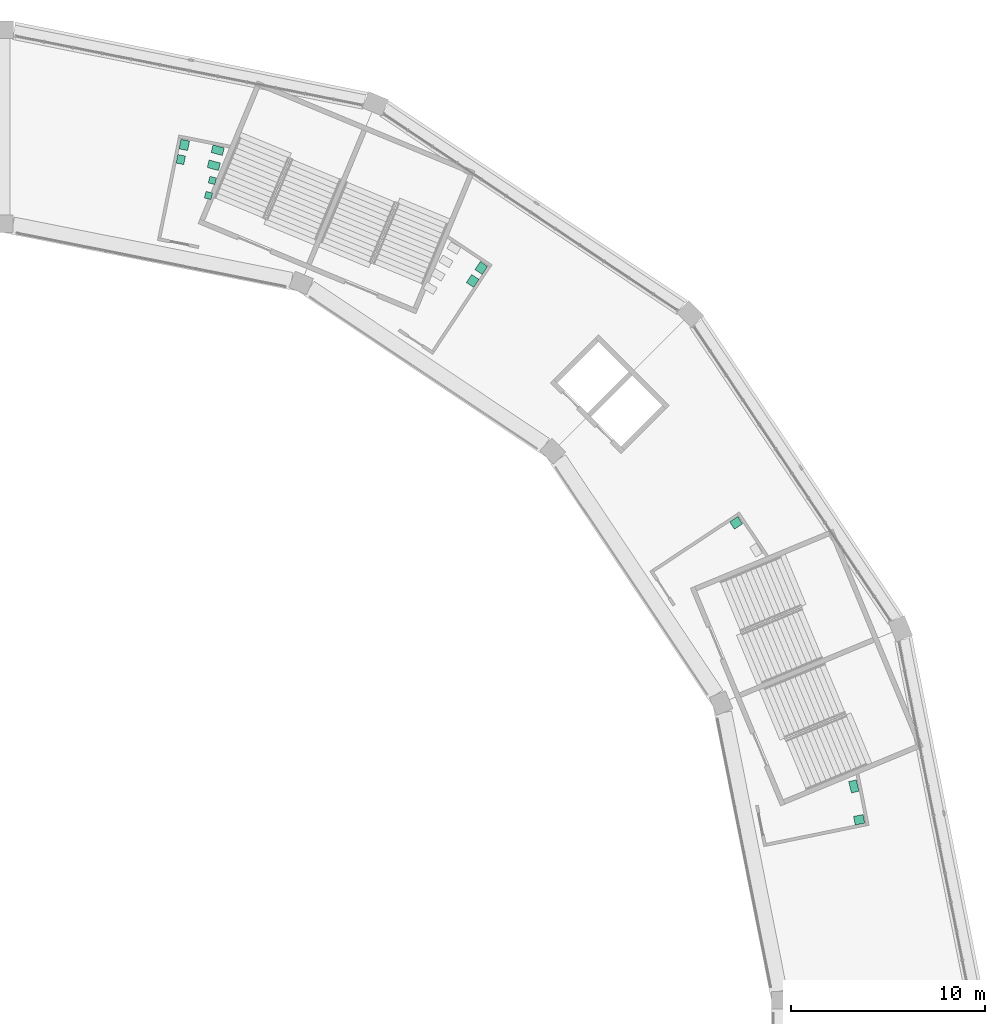
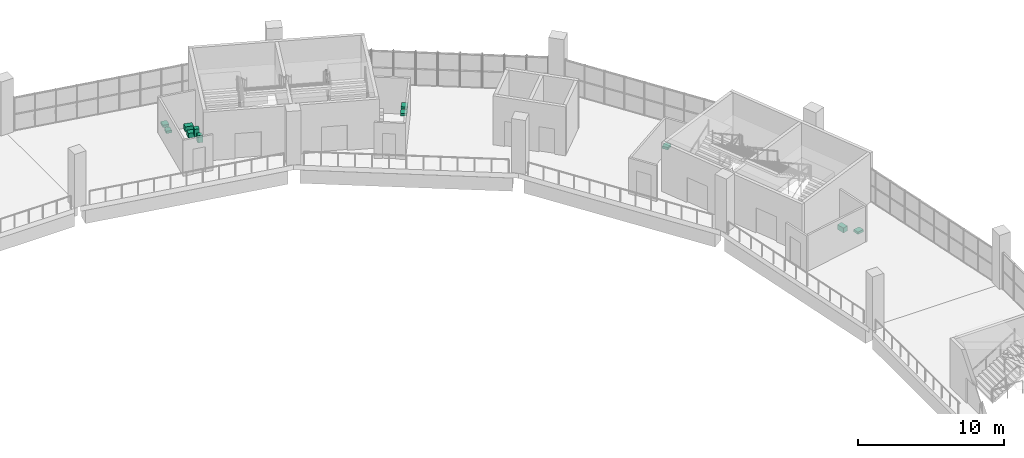
# One storey, part 177 of 177: 11 sanitary terminals.
"""IFC4 building model written with IfcOpenShell, lengths in metres."""

from ifc_helpers import new_model, si_unit, direction, frame, origin, origin_2d, place, context, subcontext, project, spatial, rectangle, extrude, material, type_object, element, save


model = new_model("IFC4")

# Units and contexts
model_context = context("Model", 3, precision=1e-05, world=origin(), true_north=direction((0.0, 1.0)))
body_context = subcontext(model_context, "Body", "Model", "MODEL_VIEW")
ifc_project = project(units=[si_unit("LENGTHUNIT", "METRE"), si_unit("AREAUNIT", "SQUARE_METRE"), si_unit("VOLUMEUNIT", "CUBIC_METRE"), si_unit("PLANEANGLEUNIT", "RADIAN"), si_unit("MASSUNIT", "GRAM", prefix="KILO")], contexts=[model_context])

# Site, building, storey
site_placement = place(None, origin())
site = spatial("IfcSite", under=ifc_project, at=site_placement, CompositionType="ELEMENT")
building_placement = place(site_placement, origin())
building = spatial("IfcBuilding", under=site, at=building_placement, Name="Ogive Plaza Stadium", CompositionType="ELEMENT")
storey_placement = place(building_placement, frame((0.0, 0.0, 18.0)))
storey = spatial("IfcBuildingStorey", under=building, at=storey_placement, Name="L04", CompositionType="ELEMENT", Elevation=18.0)

# Sanitary terminals
ifc_material_1 = material(Name="Vitreous china", Category="ceramic")
sanitary_terminal_type_1 = type_object("IfcSanitaryTerminalType", Name="Drinking fountain", PredefinedType="SANITARYFOUNTAIN", material=ifc_material_1)
sanitary_terminal_placement = place(storey_placement, frame((43.109619140625, 95.815673828125, 0.7998046875), z_axis=(0.0, 0.0, 1.0), x_axis=(-0.201383944288, -0.979512382251, 0.0)))
element("IfcSanitaryTerminal", 1, at=sanitary_terminal_placement, inside=storey, type_object=sanitary_terminal_type_1, Name="Drinking fountain L04-013", PredefinedType="SANITARYFOUNTAIN", context=body_context, shape_type="SweptSolid", body=[
    extrude(rectangle(XDim=0.449951171875, YDim=0.39990234375, at=origin_2d()), origin(), (0.0, 0.0, 1.0), 0.199951171875),
])
ifc_material_2 = material(Name="Vitreous china", Category="ceramic")
sanitary_terminal_type_2 = type_object("IfcSanitaryTerminalType", Name="Lavatory", PredefinedType="WASHHANDBASIN", material=ifc_material_2)
for number, where, z_axis, x_axis, name in (
    (2, (43.290283203125, 96.569580078125, 0.7998046875), (0.0, 0.0, 1.0), (-0.201383944288, -0.979512382251, 0.0), "Lavatory L04-013"),
    (3, (58.5927734375, 90.231201171875, 0.7998046875), (0.0, 0.0, 1.0), (-0.550219895118, -0.835019800374, 0.0), "Lavatory L04-014"),
    (4, (58.152587890625, 89.563232421875, 0.7998046875), (0.0, 0.0, 1.0), (-0.550219895118, -0.835019800374, 0.0), "Lavatory L04-014"),
    (5, (71.731201171875, 77.0927734375, 0.7998046875), (0.0, 0.0, 1.0), (-0.835019800374, -0.550219895118, 0.0), "Lavatory L04-015"),
    (6, (78.069580078125, 61.790283203125, 0.7998046875), (0.0, 0.0, 1.0), (-0.979512382251, -0.201383944288, 0.0), "Lavatory L04-016"),
):
    element("IfcSanitaryTerminal", number, at=place(storey_placement, frame(where, z_axis=z_axis, x_axis=x_axis)), inside=storey, type_object=sanitary_terminal_type_2, Name=name, PredefinedType="WASHHANDBASIN", context=body_context, shape_type="SweptSolid", body=[
        extrude(rectangle(XDim=0.5, YDim=0.449951171875, at=origin_2d()), origin(), (0.0, 0.0, 1.0), 0.199951171875),
    ])
ifc_material_3 = material(Name="Vitreous china", Category="ceramic")
sanitary_terminal_type_3 = type_object("IfcSanitaryTerminalType", Name="Urinal", PredefinedType="URINAL", material=ifc_material_3)
for number, where, z_axis, x_axis, name in (
    (7, (44.739013671875, 94.7412109375, 0.599853515625), (0.0, 0.0, 1.0), (-0.250283687841, -0.968172544333, 0.0), "Urinal L04-013"),
    (8, (44.538818359375, 93.966552734375, 0.599853515625), (0.0, 0.0, 1.0), (-0.250283687841, -0.968172544333, 0.0), "Urinal L04-013"),
):
    element("IfcSanitaryTerminal", number, at=place(storey_placement, frame(where, z_axis=z_axis, x_axis=x_axis)), inside=storey, type_object=sanitary_terminal_type_3, Name=name, PredefinedType="URINAL", context=body_context, shape_type="SweptSolid", body=[
        extrude(rectangle(XDim=0.35009765625, YDim=0.35009765625, at=origin_2d()), origin(), (0.0, 0.0, 1.0), 0.60009765625),
    ])
ifc_material_4 = material(Name="Vitreous china", Category="ceramic")
sanitary_terminal_type_4 = type_object("IfcSanitaryTerminalType", Name="Water closet", PredefinedType="TOILETPAN", material=ifc_material_4)
for number, where, z_axis, x_axis, name in (
    (9, (45.01220703125, 96.29736328125, 0.0), (0.0, 0.0, 1.0), (-0.250283687841, -0.968172544333, 0.0), "Water closet L04-013"),
    (10, (44.81201171875, 95.522705078125, 0.0), (0.0, 0.0, 1.0), (-0.250283687841, -0.968172544333, 0.0), "Water closet L04-013"),
    (11, (77.79736328125, 63.51220703125, 0.0), (0.0, 0.0, 1.0), (-0.968172544333, -0.250283687841, 0.0), "Water closet L04-016"),
):
    element("IfcSanitaryTerminal", number, at=place(storey_placement, frame(where, z_axis=z_axis, x_axis=x_axis)), inside=storey, type_object=sanitary_terminal_type_4, Name=name, PredefinedType="TOILETPAN", context=body_context, shape_type="SweptSolid", body=[
        extrude(rectangle(XDim=0.39990234375, YDim=0.60009765625, at=origin_2d()), origin(), (0.0, 0.0, 1.0), 0.39990234375),
    ])

save(model, "model.ifc")
